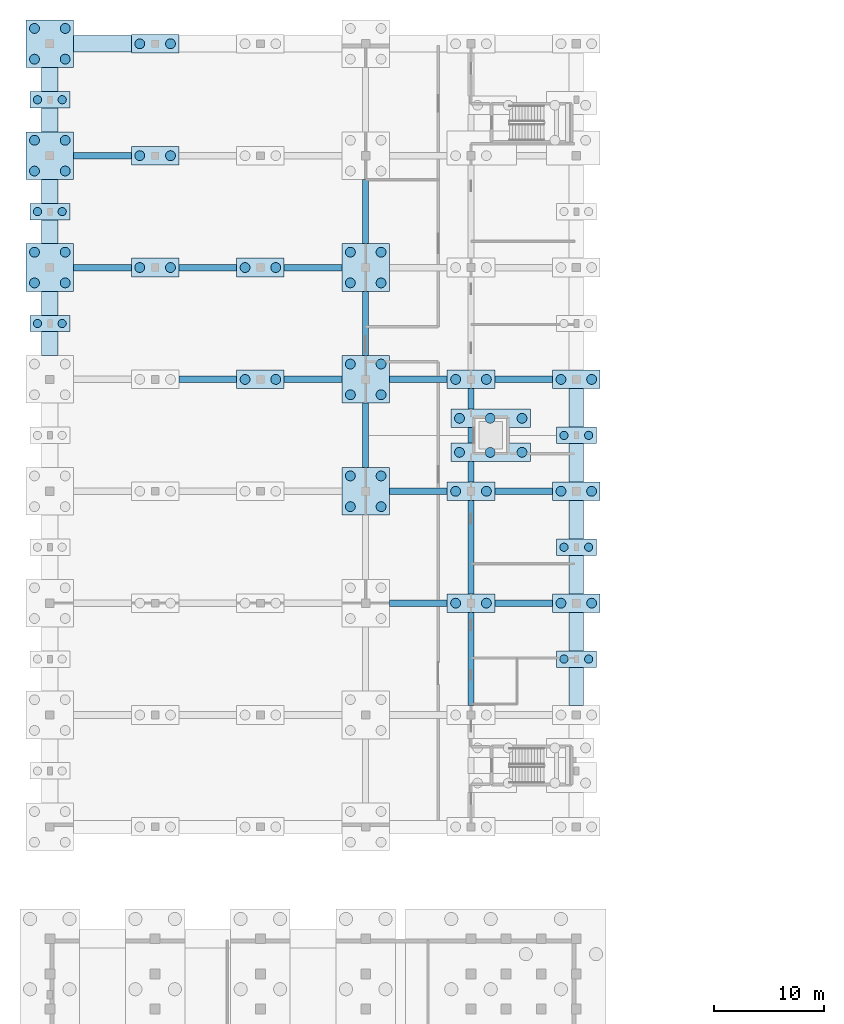
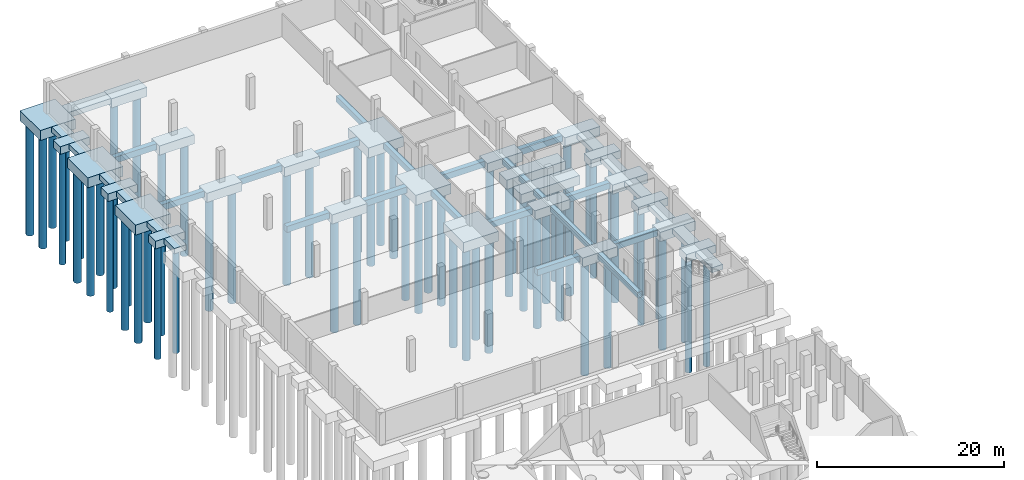
# One storey, part 3 of 18: 64 piles, 58 footings.
"""IFC4 building model written with IfcOpenShell, lengths in metres."""

from ifc_helpers import new_model, si_unit, direction, frame, origin, origin_2d, place, context, subcontext, project, spatial, polyline, rectangle, circle, outline, extrude, material, material_profile, profile_set, type_object, element, save


model = new_model("IFC4")

# Units and contexts
model_context = context("Model", 3, precision=1e-05, world=origin(), true_north=direction((0.0, 1.0)))
body_context = subcontext(model_context, "Body", "Model", "MODEL_VIEW")
ifc_project = project(units=[si_unit("LENGTHUNIT", "METRE"), si_unit("AREAUNIT", "SQUARE_METRE"), si_unit("VOLUMEUNIT", "CUBIC_METRE"), si_unit("PLANEANGLEUNIT", "RADIAN"), si_unit("MASSUNIT", "GRAM", prefix="KILO")], contexts=[model_context])

# Site, building, storey
site_placement = place(None, origin())
site = spatial("IfcSite", under=ifc_project, at=site_placement, CompositionType="ELEMENT")
building_placement = place(site_placement, origin())
building = spatial("IfcBuilding", under=site, at=building_placement, Name="Vondelvale Polytechnic", CompositionType="ELEMENT")
storey_placement = place(building_placement, frame((0.0, 0.0, -4.199951171875)))
storey = spatial("IfcBuildingStorey", under=building, at=storey_placement, Name="B1", CompositionType="ELEMENT", Elevation=-4.199951171875)

# Footings
ifc_material = material(Name="Concrete N40 (f'c = 40 MPa)", Category="concrete")
footing_type_1 = type_object("IfcFootingType", Name="GB-550x750", PredefinedType="FOOTING_BEAM", material=ifc_material)
footing_1_placement = place(storey_placement, frame((0.0, 0.0, -1.150146484375)))
element("IfcFooting", 1, at=footing_1_placement, inside=storey, type_object=footing_type_1, Name="Ground tie beam GB-034", PredefinedType="FOOTING_BEAM", context=body_context, shape_type="SweptSolid", body=[
    extrude(outline(polyline([(29.074951171875, 83.77001953125), (28.52490234375, 83.77001953125), (28.52490234375, 89.6298828125), (29.074951171875, 89.6298828125), (29.074951171875, 83.77001953125)])), origin(), (0.0, 0.0, 1.0), 0.75),
])
footing_2_placement = place(storey_placement, frame((0.0, 0.0, -1.150146484375)))
element("IfcFooting", 2, at=footing_2_placement, inside=storey, type_object=footing_type_1, Name="Ground tie beam GB-035", PredefinedType="FOOTING_BEAM", context=body_context, shape_type="SweptSolid", body=[
    extrude(outline(polyline([(29.074951171875, 93.969970703125), (28.52490234375, 93.969970703125), (28.52490234375, 99.830078125), (29.074951171875, 99.830078125), (29.074951171875, 93.969970703125)])), origin(), (0.0, 0.0, 1.0), 0.75),
])
footing_3_placement = place(storey_placement, frame((0.0, 0.0, -1.150146484375)))
element("IfcFooting", 3, at=footing_3_placement, inside=storey, type_object=footing_type_1, Name="Ground tie beam GB-036", PredefinedType="FOOTING_BEAM", context=body_context, shape_type="SweptSolid", body=[
    extrude(outline(polyline([(29.074951171875, 104.169921875), (28.52490234375, 104.169921875), (28.52490234375, 110.030029296875), (29.074951171875, 110.030029296875), (29.074951171875, 104.169921875)])), origin(), (0.0, 0.0, 1.0), 0.75),
])
footing_4_placement = place(storey_placement, frame((0.0, 0.0, -1.150146484375)))
element("IfcFooting", 4, at=footing_4_placement, inside=storey, type_object=footing_type_1, Name="Ground tie beam GB-041", PredefinedType="FOOTING_BEAM", context=body_context, shape_type="SweptSolid", body=[
    extrude(outline(polyline([(38.675048828125, 62.050048828125), (38.125, 62.050048828125), (38.125, 70.550048828125), (38.675048828125, 70.550048828125), (38.675048828125, 62.050048828125)])), origin(), (0.0, 0.0, 1.0), 0.75),
])
footing_5_placement = place(storey_placement, frame((0.0, 0.0, -1.150146484375)))
element("IfcFooting", 5, at=footing_5_placement, inside=storey, type_object=footing_type_1, Name="Ground tie beam GB-042", PredefinedType="FOOTING_BEAM", context=body_context, shape_type="SweptSolid", body=[
    extrude(outline(polyline([(38.675048828125, 72.25), (38.125, 72.25), (38.125, 80.75), (38.675048828125, 80.75), (38.675048828125, 72.25)])), origin(), (0.0, 0.0, 1.0), 0.75),
])
footing_6_placement = place(storey_placement, frame((0.0, 0.0, -1.150146484375)))
element("IfcFooting", 6, at=footing_6_placement, inside=storey, type_object=footing_type_1, Name="Ground tie beam GB-043", PredefinedType="FOOTING_BEAM", context=body_context, shape_type="SweptSolid", body=[
    extrude(outline(polyline([(38.675048828125, 82.449951171875), (38.125, 82.449951171875), (38.125, 84.300048828125), (38.675048828125, 84.300048828125), (38.675048828125, 82.449951171875)])), origin(), (0.0, 0.0, 1.0), 0.75),
])
footing_7_placement = place(storey_placement, frame((0.0, 0.0, -1.150146484375)))
element("IfcFooting", 7, at=footing_7_placement, inside=storey, type_object=footing_type_1, Name="Ground tie beam GB-044", PredefinedType="FOOTING_BEAM", context=body_context, shape_type="SweptSolid", body=[
    extrude(outline(polyline([(38.675048828125, 86.0), (38.125, 86.0), (38.125, 87.39990234375), (38.675048828125, 87.39990234375), (38.675048828125, 86.0)])), origin(), (0.0, 0.0, 1.0), 0.75),
])
footing_8_placement = place(storey_placement, frame((0.0, 0.0, -1.150146484375)))
element("IfcFooting", 8, at=footing_8_placement, inside=storey, type_object=footing_type_1, Name="Ground tie beam GB-045", PredefinedType="FOOTING_BEAM", context=body_context, shape_type="SweptSolid", body=[
    extrude(outline(polyline([(38.675048828125, 89.10009765625), (38.125, 89.10009765625), (38.125, 90.949951171875), (38.675048828125, 90.949951171875), (38.675048828125, 89.10009765625)])), origin(), (0.0, 0.0, 1.0), 0.75),
])
footing_type_2 = type_object("IfcFootingType", Name="GB-600x800", PredefinedType="FOOTING_BEAM", material=ifc_material)
footing_9_placement = place(storey_placement, frame((0.0, 0.0, -1.199951171875)))
element("IfcFooting", 9, at=footing_9_placement, inside=storey, type_object=footing_type_2, Name="Ground tie beam GB-009", PredefinedType="FOOTING_BEAM", context=body_context, shape_type="SweptSolid", body=[
    extrude(outline(polyline([(30.969970703125, 71.10009765625), (30.969970703125, 71.699951171875), (36.22998046875, 71.699951171875), (36.22998046875, 71.10009765625), (30.969970703125, 71.10009765625)])), origin(), (0.0, 0.0, 1.0), 0.7998046875),
])
footing_10_placement = place(storey_placement, frame((0.0, 0.0, -1.199951171875)))
element("IfcFooting", 10, at=footing_10_placement, inside=storey, type_object=footing_type_2, Name="Ground tie beam GB-010", PredefinedType="FOOTING_BEAM", context=body_context, shape_type="SweptSolid", body=[
    extrude(outline(polyline([(40.570068359375, 71.10009765625), (40.570068359375, 71.699951171875), (45.830078125, 71.699951171875), (45.830078125, 71.10009765625), (40.570068359375, 71.10009765625)])), origin(), (0.0, 0.0, 1.0), 0.7998046875),
])
footing_11_placement = place(storey_placement, frame((0.0, 0.0, -1.199951171875)))
element("IfcFooting", 11, at=footing_11_placement, inside=storey, type_object=footing_type_2, Name="Ground tie beam GB-014", PredefinedType="FOOTING_BEAM", context=body_context, shape_type="SweptSolid", body=[
    extrude(outline(polyline([(30.969970703125, 81.300048828125), (30.969970703125, 81.89990234375), (36.22998046875, 81.89990234375), (36.22998046875, 81.300048828125), (30.969970703125, 81.300048828125)])), origin(), (0.0, 0.0, 1.0), 0.7998046875),
])
footing_12_placement = place(storey_placement, frame((0.0, 0.0, -1.199951171875)))
element("IfcFooting", 12, at=footing_12_placement, inside=storey, type_object=footing_type_2, Name="Ground tie beam GB-015", PredefinedType="FOOTING_BEAM", context=body_context, shape_type="SweptSolid", body=[
    extrude(outline(polyline([(40.570068359375, 81.300048828125), (40.570068359375, 81.89990234375), (45.830078125, 81.89990234375), (45.830078125, 81.300048828125), (40.570068359375, 81.300048828125)])), origin(), (0.0, 0.0, 1.0), 0.7998046875),
])
footing_13_placement = place(storey_placement, frame((0.0, 0.0, -1.199951171875)))
element("IfcFooting", 13, at=footing_13_placement, inside=storey, type_object=footing_type_2, Name="Ground tie beam GB-017", PredefinedType="FOOTING_BEAM", context=body_context, shape_type="SweptSolid", body=[
    extrude(outline(polyline([(11.77001953125, 91.5), (11.77001953125, 92.10009765625), (17.030029296875, 92.10009765625), (17.030029296875, 91.5), (11.77001953125, 91.5)])), origin(), (0.0, 0.0, 1.0), 0.7998046875),
])
footing_14_placement = place(storey_placement, frame((0.0, 0.0, -1.199951171875)))
element("IfcFooting", 14, at=footing_14_placement, inside=storey, type_object=footing_type_2, Name="Ground tie beam GB-018", PredefinedType="FOOTING_BEAM", context=body_context, shape_type="SweptSolid", body=[
    extrude(outline(polyline([(21.3701171875, 91.5), (21.3701171875, 92.10009765625), (26.6298828125, 92.10009765625), (26.6298828125, 91.5), (21.3701171875, 91.5)])), origin(), (0.0, 0.0, 1.0), 0.7998046875),
])
footing_15_placement = place(storey_placement, frame((0.0, 0.0, -1.199951171875)))
element("IfcFooting", 15, at=footing_15_placement, inside=storey, type_object=footing_type_2, Name="Ground tie beam GB-019", PredefinedType="FOOTING_BEAM", context=body_context, shape_type="SweptSolid", body=[
    extrude(outline(polyline([(30.969970703125, 91.5), (30.969970703125, 92.10009765625), (36.22998046875, 92.10009765625), (36.22998046875, 91.5), (30.969970703125, 91.5)])), origin(), (0.0, 0.0, 1.0), 0.7998046875),
])
footing_16_placement = place(storey_placement, frame((0.0, 0.0, -1.199951171875)))
element("IfcFooting", 16, at=footing_16_placement, inside=storey, type_object=footing_type_2, Name="Ground tie beam GB-020", PredefinedType="FOOTING_BEAM", context=body_context, shape_type="SweptSolid", body=[
    extrude(outline(polyline([(40.570068359375, 91.5), (40.570068359375, 92.10009765625), (45.830078125, 92.10009765625), (45.830078125, 91.5), (40.570068359375, 91.5)])), origin(), (0.0, 0.0, 1.0), 0.7998046875),
])
footing_17_placement = place(storey_placement, frame((0.0, 0.0, -1.199951171875)))
element("IfcFooting", 17, at=footing_17_placement, inside=storey, type_object=footing_type_2, Name="Ground tie beam GB-021", PredefinedType="FOOTING_BEAM", context=body_context, shape_type="SweptSolid", body=[
    extrude(outline(polyline([(2.169921875, 101.699951171875), (2.169921875, 102.300048828125), (7.429931640625, 102.300048828125), (7.429931640625, 101.699951171875), (2.169921875, 101.699951171875)])), origin(), (0.0, 0.0, 1.0), 0.7998046875),
])
footing_18_placement = place(storey_placement, frame((0.0, 0.0, -1.199951171875)))
element("IfcFooting", 18, at=footing_18_placement, inside=storey, type_object=footing_type_2, Name="Ground tie beam GB-022", PredefinedType="FOOTING_BEAM", context=body_context, shape_type="SweptSolid", body=[
    extrude(outline(polyline([(11.77001953125, 101.699951171875), (11.77001953125, 102.300048828125), (17.030029296875, 102.300048828125), (17.030029296875, 101.699951171875), (11.77001953125, 101.699951171875)])), origin(), (0.0, 0.0, 1.0), 0.7998046875),
])
footing_19_placement = place(storey_placement, frame((0.0, 0.0, -1.199951171875)))
element("IfcFooting", 19, at=footing_19_placement, inside=storey, type_object=footing_type_2, Name="Ground tie beam GB-023", PredefinedType="FOOTING_BEAM", context=body_context, shape_type="SweptSolid", body=[
    extrude(outline(polyline([(21.3701171875, 101.699951171875), (21.3701171875, 102.300048828125), (26.6298828125, 102.300048828125), (26.6298828125, 101.699951171875), (21.3701171875, 101.699951171875)])), origin(), (0.0, 0.0, 1.0), 0.7998046875),
])
footing_20_placement = place(storey_placement, frame((0.0, 0.0, -1.199951171875)))
element("IfcFooting", 20, at=footing_20_placement, inside=storey, type_object=footing_type_2, Name="Ground tie beam GB-026", PredefinedType="FOOTING_BEAM", context=body_context, shape_type="SweptSolid", body=[
    extrude(outline(polyline([(2.169921875, 111.89990234375), (2.169921875, 112.5), (7.429931640625, 112.5), (7.429931640625, 111.89990234375), (2.169921875, 111.89990234375)])), origin(), (0.0, 0.0, 1.0), 0.7998046875),
])
footing_type_3 = type_object("IfcFootingType", Name="PC-3640x1500x1000", PredefinedType="PILE_CAP", material=ifc_material)
for number, where, z_axis, x_axis, name in (
    (21, (0.0, 96.89990234375, -1.400146484375), (0.0, 0.0, 1.0), (1.0, 0.0, 0.0), "Pile cap PC-015"),
    (22, (0.0, 107.10009765625, -1.400146484375), (0.0, 0.0, 1.0), (1.0, 0.0, 0.0), "Pile cap PC-017"),
    (23, (0.0, 117.300048828125, -1.400146484375), (0.0, 0.0, 1.0), (1.0, 0.0, 0.0), "Pile cap PC-019"),
    (24, (48.0, 66.300048828125, -1.400146484375), (0.0, 0.0, 1.0), (1.0, 0.0, 0.0), "Pile cap PC-072"),
    (25, (48.0, 76.5, -1.400146484375), (0.0, 0.0, 1.0), (1.0, 0.0, 0.0), "Pile cap PC-074"),
    (26, (48.0, 86.699951171875, -1.400146484375), (0.0, 0.0, 1.0), (1.0, 0.0, 0.0), "Pile cap PC-076"),
):
    element("IfcFooting", number, at=place(storey_placement, frame(where, z_axis=z_axis, x_axis=x_axis)), inside=storey, type_object=footing_type_3, Name=name, PredefinedType="PILE_CAP", context=body_context, shape_type="SweptSolid", body=[
        extrude(rectangle(XDim=3.639892578125, YDim=1.5, at=origin_2d()), origin(), (0.0, 0.0, 1.0), 1.0),
    ])
footing_type_4 = type_object("IfcFootingType", Name="PC-4340x1700x1200", PredefinedType="PILE_CAP", material=ifc_material)
for number, where, z_axis, x_axis, name in (
    (27, (9.60009765625, 102.0, -1.60009765625), (0.0, 0.0, 1.0), (1.0, 0.0, 0.0), "Pile cap PC-028"),
    (28, (9.60009765625, 112.199951171875, -1.60009765625), (0.0, 0.0, 1.0), (1.0, 0.0, 0.0), "Pile cap PC-029"),
    (29, (9.60009765625, 122.39990234375, -1.60009765625), (0.0, 0.0, 1.0), (1.0, 0.0, 0.0), "Pile cap PC-030"),
    (30, (19.199951171875, 91.800048828125, -1.60009765625), (0.0, 0.0, 1.0), (1.0, 0.0, 0.0), "Pile cap PC-037"),
    (31, (19.199951171875, 102.0, -1.60009765625), (0.0, 0.0, 1.0), (1.0, 0.0, 0.0), "Pile cap PC-038"),
    (32, (38.39990234375, 71.39990234375, -1.60009765625), (0.0, 0.0, 1.0), (1.0, 0.0, 0.0), "Pile cap PC-055"),
    (33, (38.39990234375, 81.60009765625, -1.60009765625), (0.0, 0.0, 1.0), (1.0, 0.0, 0.0), "Pile cap PC-056"),
    (34, (38.39990234375, 91.800048828125, -1.60009765625), (0.0, 0.0, 1.0), (1.0, 0.0, 0.0), "Pile cap PC-057"),
    (35, (48.0, 71.39990234375, -1.60009765625), (0.0, 0.0, 1.0), (1.0, 0.0, 0.0), "Pile cap PC-073"),
    (36, (48.0, 81.60009765625, -1.60009765625), (0.0, 0.0, 1.0), (1.0, 0.0, 0.0), "Pile cap PC-075"),
    (37, (48.0, 91.800048828125, -1.60009765625), (0.0, 0.0, 1.0), (1.0, 0.0, 0.0), "Pile cap PC-077"),
):
    element("IfcFooting", number, at=place(storey_placement, frame(where, z_axis=z_axis, x_axis=x_axis)), inside=storey, type_object=footing_type_4, Name=name, PredefinedType="PILE_CAP", context=body_context, shape_type="SweptSolid", body=[
        extrude(rectangle(XDim=4.340087890625, YDim=1.699951171875, at=origin_2d()), origin(), (0.0, 0.0, 1.0), 1.199951171875),
    ])
footing_type_5 = type_object("IfcFootingType", Name="PC-4340x4340x1300", PredefinedType="PILE_CAP", material=ifc_material)
for number, where, z_axis, x_axis, name in (
    (38, (0.0, 102.0, -1.7001953125), (0.0, 0.0, 1.0), (1.0, 0.0, 0.0), "Pile cap PC-016"),
    (39, (0.0, 112.199951171875, -1.7001953125), (0.0, 0.0, 1.0), (1.0, 0.0, 0.0), "Pile cap PC-018"),
    (40, (0.0, 122.39990234375, -1.7001953125), (0.0, 0.0, 1.0), (1.0, 0.0, 0.0), "Pile cap PC-020"),
    (41, (28.800048828125, 81.60009765625, -1.7001953125), (0.0, 0.0, 1.0), (1.0, 0.0, 0.0), "Pile cap PC-047"),
    (42, (28.800048828125, 91.800048828125, -1.7001953125), (0.0, 0.0, 1.0), (1.0, 0.0, 0.0), "Pile cap PC-048"),
    (43, (28.800048828125, 102.0, -1.7001953125), (0.0, 0.0, 1.0), (1.0, 0.0, 0.0), "Pile cap PC-049"),
):
    element("IfcFooting", number, at=place(storey_placement, frame(where, z_axis=z_axis, x_axis=x_axis)), inside=storey, type_object=footing_type_5, Name=name, PredefinedType="PILE_CAP", context=body_context, shape_type="SweptSolid", body=[
        extrude(rectangle(XDim=4.340087890625, YDim=4.340087890625, at=origin_2d()), origin(), (0.0, 0.0, 1.0), 1.300048828125),
    ])
footing_type_6 = type_object("IfcFootingType", Name="PC-7240x1700x1200", PredefinedType="PILE_CAP", material=ifc_material)
for number, where, z_axis, x_axis, name in (
    (44, (40.199951171875, 85.14990234375, -1.75), (0.0, 0.0, 1.0), (1.0, 0.0, 0.0), "Pile cap PC-061"),
    (45, (40.199951171875, 88.25, -1.75), (0.0, 0.0, 1.0), (1.0, 0.0, 0.0), "Pile cap PC-062"),
):
    element("IfcFooting", number, at=place(storey_placement, frame(where, z_axis=z_axis, x_axis=x_axis)), inside=storey, type_object=footing_type_6, Name=name, PredefinedType="PILE_CAP", context=body_context, shape_type="SweptSolid", body=[
        extrude(rectangle(XDim=7.239990234375, YDim=1.699951171875, at=origin_2d()), origin(), (0.0, 0.0, 1.0), 1.199951171875),
    ])

# Piles
ifc_material_profile_1 = material_profile(ifc_material, circle(Radius=0.375, at=origin_2d()), Name="PILE-D750")
ifc_profile_set_1 = profile_set([ifc_material_profile_1], Name="Concrete N40 (f'c = 40 MPa)")
pile_type_1 = type_object("IfcPileType", Name="PILE-BORED-750", PredefinedType="BORED", material=ifc_profile_set_1)
for number, where, z_axis, x_axis, name in (
    (46, (-1.125, 96.89990234375, -1.25), (0.0, 0.0, -1.0), (1.0, 0.0, 0.0), "Bored pile BP-750-015-1"),
    (47, (1.125, 96.89990234375, -1.25), (0.0, 0.0, -1.0), (1.0, 0.0, 0.0), "Bored pile BP-750-015-2"),
    (48, (-1.125, 107.10009765625, -1.25), (0.0, 0.0, -1.0), (1.0, 0.0, 0.0), "Bored pile BP-750-017-1"),
    (49, (1.125, 107.10009765625, -1.25), (0.0, 0.0, -1.0), (1.0, 0.0, 0.0), "Bored pile BP-750-017-2"),
    (50, (-1.125, 117.300048828125, -1.25), (0.0, 0.0, -1.0), (1.0, 0.0, 0.0), "Bored pile BP-750-019-1"),
    (51, (1.125, 117.300048828125, -1.25), (0.0, 0.0, -1.0), (1.0, 0.0, 0.0), "Bored pile BP-750-019-2"),
    (52, (46.875, 66.300048828125, -1.25), (0.0, 0.0, -1.0), (1.0, 0.0, 0.0), "Bored pile BP-750-072-1"),
    (53, (49.125, 66.300048828125, -1.25), (0.0, 0.0, -1.0), (1.0, 0.0, 0.0), "Bored pile BP-750-072-2"),
    (54, (46.875, 76.5, -1.25), (0.0, 0.0, -1.0), (1.0, 0.0, 0.0), "Bored pile BP-750-074-1"),
    (55, (49.125, 76.5, -1.25), (0.0, 0.0, -1.0), (1.0, 0.0, 0.0), "Bored pile BP-750-074-2"),
    (56, (46.875, 86.699951171875, -1.25), (0.0, 0.0, -1.0), (1.0, 0.0, 0.0), "Bored pile BP-750-076-1"),
    (57, (49.125, 86.699951171875, -1.25), (0.0, 0.0, -1.0), (1.0, 0.0, 0.0), "Bored pile BP-750-076-2"),
):
    element("IfcPile", number, at=place(storey_placement, frame(where, z_axis=z_axis, x_axis=x_axis)), inside=storey, type_object=pile_type_1, Name=name, PredefinedType="BORED", context=body_context, shape_type="SweptSolid", body=[
        extrude(circle(Radius=0.375, at=origin_2d()), origin(), (0.0, 0.0, 1.0), 15.050048828125),
    ])
ifc_material_profile_2 = material_profile(ifc_material, circle(Radius=0.449951171875, at=origin_2d()), Name="PILE-D900")
ifc_profile_set_2 = profile_set([ifc_material_profile_2], Name="Concrete N40 (f'c = 40 MPa)")
pile_type_2 = type_object("IfcPileType", Name="PILE-BORED-900", PredefinedType="BORED", material=ifc_profile_set_2)
for number, where, z_axis, x_axis, name in (
    (58, (-1.39990234375, 100.60009765625, -1.550048828125), (0.0, 0.0, -1.0), (1.0, 0.0, 0.0), "Bored pile BP-900-016-1"),
    (59, (1.39990234375, 100.60009765625, -1.550048828125), (0.0, 0.0, -1.0), (1.0, 0.0, 0.0), "Bored pile BP-900-016-2"),
    (60, (-1.39990234375, 103.39990234375, -1.550048828125), (0.0, 0.0, -1.0), (1.0, 0.0, 0.0), "Bored pile BP-900-016-3"),
    (61, (1.39990234375, 103.39990234375, -1.550048828125), (0.0, 0.0, -1.0), (1.0, 0.0, 0.0), "Bored pile BP-900-016-4"),
    (62, (-1.39990234375, 110.800048828125, -1.550048828125), (0.0, 0.0, -1.0), (1.0, 0.0, 0.0), "Bored pile BP-900-018-1"),
    (63, (1.39990234375, 110.800048828125, -1.550048828125), (0.0, 0.0, -1.0), (1.0, 0.0, 0.0), "Bored pile BP-900-018-2"),
    (64, (-1.39990234375, 113.60009765625, -1.550048828125), (0.0, 0.0, -1.0), (1.0, 0.0, 0.0), "Bored pile BP-900-018-3"),
    (65, (1.39990234375, 113.60009765625, -1.550048828125), (0.0, 0.0, -1.0), (1.0, 0.0, 0.0), "Bored pile BP-900-018-4"),
    (66, (-1.39990234375, 121.0, -1.550048828125), (0.0, 0.0, -1.0), (1.0, 0.0, 0.0), "Bored pile BP-900-020-1"),
    (67, (1.39990234375, 121.0, -1.550048828125), (0.0, 0.0, -1.0), (1.0, 0.0, 0.0), "Bored pile BP-900-020-2"),
    (68, (-1.39990234375, 123.800048828125, -1.550048828125), (0.0, 0.0, -1.0), (1.0, 0.0, 0.0), "Bored pile BP-900-020-3"),
    (69, (1.39990234375, 123.800048828125, -1.550048828125), (0.0, 0.0, -1.0), (1.0, 0.0, 0.0), "Bored pile BP-900-020-4"),
):
    element("IfcPile", number, at=place(storey_placement, frame(where, z_axis=z_axis, x_axis=x_axis)), inside=storey, type_object=pile_type_2, Name=name, PredefinedType="BORED", context=body_context, shape_type="SweptSolid", body=[
        extrude(circle(Radius=0.449951171875, at=origin_2d()), origin(), (0.0, 0.0, 1.0), 14.75),
    ])
for number, where, z_axis, x_axis, name in (
    (70, (8.199951171875, 102.0, -1.449951171875), (0.0, 0.0, -1.0), (1.0, 0.0, 0.0), "Bored pile BP-900-028-1"),
    (71, (11.0, 102.0, -1.449951171875), (0.0, 0.0, -1.0), (1.0, 0.0, 0.0), "Bored pile BP-900-028-2"),
    (72, (8.199951171875, 112.199951171875, -1.449951171875), (0.0, 0.0, -1.0), (1.0, 0.0, 0.0), "Bored pile BP-900-029-1"),
    (73, (11.0, 112.199951171875, -1.449951171875), (0.0, 0.0, -1.0), (1.0, 0.0, 0.0), "Bored pile BP-900-029-2"),
    (74, (8.199951171875, 122.39990234375, -1.449951171875), (0.0, 0.0, -1.0), (1.0, 0.0, 0.0), "Bored pile BP-900-030-1"),
    (75, (11.0, 122.39990234375, -1.449951171875), (0.0, 0.0, -1.0), (1.0, 0.0, 0.0), "Bored pile BP-900-030-2"),
    (76, (17.800048828125, 91.800048828125, -1.449951171875), (0.0, 0.0, -1.0), (1.0, 0.0, 0.0), "Bored pile BP-900-037-1"),
    (77, (20.60009765625, 91.800048828125, -1.449951171875), (0.0, 0.0, -1.0), (1.0, 0.0, 0.0), "Bored pile BP-900-037-2"),
    (78, (17.800048828125, 102.0, -1.449951171875), (0.0, 0.0, -1.0), (1.0, 0.0, 0.0), "Bored pile BP-900-038-1"),
    (79, (20.60009765625, 102.0, -1.449951171875), (0.0, 0.0, -1.0), (1.0, 0.0, 0.0), "Bored pile BP-900-038-2"),
):
    element("IfcPile", number, at=place(storey_placement, frame(where, z_axis=z_axis, x_axis=x_axis)), inside=storey, type_object=pile_type_2, Name=name, PredefinedType="BORED", context=body_context, shape_type="SweptSolid", body=[
        extrude(circle(Radius=0.449951171875, at=origin_2d()), origin(), (0.0, 0.0, 1.0), 14.85009765625),
    ])
for number, where, z_axis, x_axis, name in (
    (80, (27.39990234375, 80.199951171875, -1.550048828125), (0.0, 0.0, -1.0), (1.0, 0.0, 0.0), "Bored pile BP-900-047-1"),
    (81, (30.199951171875, 80.199951171875, -1.550048828125), (0.0, 0.0, -1.0), (1.0, 0.0, 0.0), "Bored pile BP-900-047-2"),
    (82, (27.39990234375, 83.0, -1.550048828125), (0.0, 0.0, -1.0), (1.0, 0.0, 0.0), "Bored pile BP-900-047-3"),
    (83, (30.199951171875, 83.0, -1.550048828125), (0.0, 0.0, -1.0), (1.0, 0.0, 0.0), "Bored pile BP-900-047-4"),
    (84, (27.39990234375, 90.39990234375, -1.550048828125), (0.0, 0.0, -1.0), (1.0, 0.0, 0.0), "Bored pile BP-900-048-1"),
    (85, (30.199951171875, 90.39990234375, -1.550048828125), (0.0, 0.0, -1.0), (1.0, 0.0, 0.0), "Bored pile BP-900-048-2"),
    (86, (27.39990234375, 93.199951171875, -1.550048828125), (0.0, 0.0, -1.0), (1.0, 0.0, 0.0), "Bored pile BP-900-048-3"),
    (87, (30.199951171875, 93.199951171875, -1.550048828125), (0.0, 0.0, -1.0), (1.0, 0.0, 0.0), "Bored pile BP-900-048-4"),
    (88, (27.39990234375, 100.60009765625, -1.550048828125), (0.0, 0.0, -1.0), (1.0, 0.0, 0.0), "Bored pile BP-900-049-1"),
    (89, (30.199951171875, 100.60009765625, -1.550048828125), (0.0, 0.0, -1.0), (1.0, 0.0, 0.0), "Bored pile BP-900-049-2"),
    (90, (27.39990234375, 103.39990234375, -1.550048828125), (0.0, 0.0, -1.0), (1.0, 0.0, 0.0), "Bored pile BP-900-049-3"),
    (91, (30.199951171875, 103.39990234375, -1.550048828125), (0.0, 0.0, -1.0), (1.0, 0.0, 0.0), "Bored pile BP-900-049-4"),
):
    element("IfcPile", number, at=place(storey_placement, frame(where, z_axis=z_axis, x_axis=x_axis)), inside=storey, type_object=pile_type_2, Name=name, PredefinedType="BORED", context=body_context, shape_type="SweptSolid", body=[
        extrude(circle(Radius=0.449951171875, at=origin_2d()), origin(), (0.0, 0.0, 1.0), 14.75),
    ])
for number, where, z_axis, x_axis, name in (
    (92, (37.0, 71.39990234375, -1.449951171875), (0.0, 0.0, -1.0), (1.0, 0.0, 0.0), "Bored pile BP-900-055-1"),
    (93, (39.800048828125, 71.39990234375, -1.449951171875), (0.0, 0.0, -1.0), (1.0, 0.0, 0.0), "Bored pile BP-900-055-2"),
    (94, (37.0, 81.60009765625, -1.449951171875), (0.0, 0.0, -1.0), (1.0, 0.0, 0.0), "Bored pile BP-900-056-1"),
    (95, (39.800048828125, 81.60009765625, -1.449951171875), (0.0, 0.0, -1.0), (1.0, 0.0, 0.0), "Bored pile BP-900-056-2"),
    (96, (37.0, 91.800048828125, -1.449951171875), (0.0, 0.0, -1.0), (1.0, 0.0, 0.0), "Bored pile BP-900-057-1"),
    (97, (39.800048828125, 91.800048828125, -1.449951171875), (0.0, 0.0, -1.0), (1.0, 0.0, 0.0), "Bored pile BP-900-057-2"),
):
    element("IfcPile", number, at=place(storey_placement, frame(where, z_axis=z_axis, x_axis=x_axis)), inside=storey, type_object=pile_type_2, Name=name, PredefinedType="BORED", context=body_context, shape_type="SweptSolid", body=[
        extrude(circle(Radius=0.449951171875, at=origin_2d()), origin(), (0.0, 0.0, 1.0), 14.85009765625),
    ])
for number, where, z_axis, x_axis, name in (
    (98, (37.35009765625, 85.14990234375, -1.60009765625), (0.0, 0.0, -1.0), (1.0, 0.0, 0.0), "Bored pile BP-900-061-1"),
    (99, (40.14990234375, 85.14990234375, -1.60009765625), (0.0, 0.0, -1.0), (1.0, 0.0, 0.0), "Bored pile BP-900-061-2"),
    (100, (43.050048828125, 85.14990234375, -1.60009765625), (0.0, 0.0, -1.0), (1.0, 0.0, 0.0), "Bored pile BP-900-061-3"),
    (101, (37.35009765625, 88.25, -1.60009765625), (0.0, 0.0, -1.0), (1.0, 0.0, 0.0), "Bored pile BP-900-062-1"),
    (102, (40.14990234375, 88.25, -1.60009765625), (0.0, 0.0, -1.0), (1.0, 0.0, 0.0), "Bored pile BP-900-062-2"),
    (103, (43.050048828125, 88.25, -1.60009765625), (0.0, 0.0, -1.0), (1.0, 0.0, 0.0), "Bored pile BP-900-062-3"),
):
    element("IfcPile", number, at=place(storey_placement, frame(where, z_axis=z_axis, x_axis=x_axis)), inside=storey, type_object=pile_type_2, Name=name, PredefinedType="BORED", context=body_context, shape_type="SweptSolid", body=[
        extrude(circle(Radius=0.449951171875, at=origin_2d()), origin(), (0.0, 0.0, 1.0), 14.699951171875),
    ])
for number, where, z_axis, x_axis, name in (
    (104, (46.60009765625, 71.39990234375, -1.449951171875), (0.0, 0.0, -1.0), (1.0, 0.0, 0.0), "Bored pile BP-900-073-1"),
    (105, (49.39990234375, 71.39990234375, -1.449951171875), (0.0, 0.0, -1.0), (1.0, 0.0, 0.0), "Bored pile BP-900-073-2"),
    (106, (46.60009765625, 81.60009765625, -1.449951171875), (0.0, 0.0, -1.0), (1.0, 0.0, 0.0), "Bored pile BP-900-075-1"),
    (107, (49.39990234375, 81.60009765625, -1.449951171875), (0.0, 0.0, -1.0), (1.0, 0.0, 0.0), "Bored pile BP-900-075-2"),
    (108, (46.60009765625, 91.800048828125, -1.449951171875), (0.0, 0.0, -1.0), (1.0, 0.0, 0.0), "Bored pile BP-900-077-1"),
    (109, (49.39990234375, 91.800048828125, -1.449951171875), (0.0, 0.0, -1.0), (1.0, 0.0, 0.0), "Bored pile BP-900-077-2"),
):
    element("IfcPile", number, at=place(storey_placement, frame(where, z_axis=z_axis, x_axis=x_axis)), inside=storey, type_object=pile_type_2, Name=name, PredefinedType="BORED", context=body_context, shape_type="SweptSolid", body=[
        extrude(circle(Radius=0.449951171875, at=origin_2d()), origin(), (0.0, 0.0, 1.0), 14.85009765625),
    ])

# Footings
footing_type_7 = type_object("IfcFootingType", Name="SF-1350x650", PredefinedType="STRIP_FOOTING", material=ifc_material)
footing_21_placement = place(storey_placement, frame((0.0, 0.0, -1.050048828125)))
element("IfcFooting", 110, at=footing_21_placement, inside=storey, type_object=footing_type_7, Name="B1 continuous strip footing SF-007", PredefinedType="STRIP_FOOTING", context=body_context, shape_type="SweptSolid", body=[
    extrude(outline(polyline([(48.675048828125, 62.050048828125), (47.324951171875, 62.050048828125), (47.324951171875, 65.550048828125), (48.675048828125, 65.550048828125), (48.675048828125, 62.050048828125)])), origin(), (0.0, 0.0, 1.0), 0.64990234375),
])
footing_22_placement = place(storey_placement, frame((0.0, 0.0, -1.050048828125)))
element("IfcFooting", 111, at=footing_22_placement, inside=storey, type_object=footing_type_7, Name="B1 continuous strip footing SF-008", PredefinedType="STRIP_FOOTING", context=body_context, shape_type="SweptSolid", body=[
    extrude(outline(polyline([(48.675048828125, 67.050048828125), (47.324951171875, 67.050048828125), (47.324951171875, 70.550048828125), (48.675048828125, 70.550048828125), (48.675048828125, 67.050048828125)])), origin(), (0.0, 0.0, 1.0), 0.64990234375),
])
footing_23_placement = place(storey_placement, frame((0.0, 0.0, -1.050048828125)))
element("IfcFooting", 112, at=footing_23_placement, inside=storey, type_object=footing_type_7, Name="B1 continuous strip footing SF-011", PredefinedType="STRIP_FOOTING", context=body_context, shape_type="SweptSolid", body=[
    extrude(outline(polyline([(48.675048828125, 72.25), (47.324951171875, 72.25), (47.324951171875, 75.75), (48.675048828125, 75.75), (48.675048828125, 72.25)])), origin(), (0.0, 0.0, 1.0), 0.64990234375),
])
footing_24_placement = place(storey_placement, frame((0.0, 0.0, -1.050048828125)))
element("IfcFooting", 113, at=footing_24_placement, inside=storey, type_object=footing_type_7, Name="B1 continuous strip footing SF-012", PredefinedType="STRIP_FOOTING", context=body_context, shape_type="SweptSolid", body=[
    extrude(outline(polyline([(48.675048828125, 77.25), (47.324951171875, 77.25), (47.324951171875, 80.75), (48.675048828125, 80.75), (48.675048828125, 77.25)])), origin(), (0.0, 0.0, 1.0), 0.64990234375),
])
footing_25_placement = place(storey_placement, frame((0.0, 0.0, -1.050048828125)))
element("IfcFooting", 114, at=footing_25_placement, inside=storey, type_object=footing_type_7, Name="B1 continuous strip footing SF-015", PredefinedType="STRIP_FOOTING", context=body_context, shape_type="SweptSolid", body=[
    extrude(outline(polyline([(48.675048828125, 82.449951171875), (47.324951171875, 82.449951171875), (47.324951171875, 85.949951171875), (48.675048828125, 85.949951171875), (48.675048828125, 82.449951171875)])), origin(), (0.0, 0.0, 1.0), 0.64990234375),
])
footing_26_placement = place(storey_placement, frame((0.0, 0.0, -1.050048828125)))
element("IfcFooting", 115, at=footing_26_placement, inside=storey, type_object=footing_type_7, Name="B1 continuous strip footing SF-016", PredefinedType="STRIP_FOOTING", context=body_context, shape_type="SweptSolid", body=[
    extrude(outline(polyline([(48.675048828125, 87.449951171875), (47.324951171875, 87.449951171875), (47.324951171875, 90.949951171875), (48.675048828125, 90.949951171875), (48.675048828125, 87.449951171875)])), origin(), (0.0, 0.0, 1.0), 0.64990234375),
])
footing_type_8 = type_object("IfcFootingType", Name="SF-1500x700", PredefinedType="STRIP_FOOTING", material=ifc_material)
footing_27_placement = place(storey_placement, frame((0.0, 0.0, -1.10009765625)))
element("IfcFooting", 116, at=footing_27_placement, inside=storey, type_object=footing_type_8, Name="B1 continuous strip footing SF-017", PredefinedType="STRIP_FOOTING", context=body_context, shape_type="SweptSolid", body=[
    extrude(outline(polyline([(0.75, 93.969970703125), (-0.75, 93.969970703125), (-0.75, 96.14990234375), (0.75, 96.14990234375), (0.75, 93.969970703125)])), origin(), (0.0, 0.0, 1.0), 0.699951171875),
])
footing_28_placement = place(storey_placement, frame((0.0, 0.0, -1.10009765625)))
element("IfcFooting", 117, at=footing_28_placement, inside=storey, type_object=footing_type_8, Name="B1 continuous strip footing SF-018", PredefinedType="STRIP_FOOTING", context=body_context, shape_type="SweptSolid", body=[
    extrude(outline(polyline([(0.75, 97.64990234375), (-0.75, 97.64990234375), (-0.75, 99.830078125), (0.75, 99.830078125), (0.75, 97.64990234375)])), origin(), (0.0, 0.0, 1.0), 0.699951171875),
])
footing_29_placement = place(storey_placement, frame((0.0, 0.0, -1.10009765625)))
element("IfcFooting", 118, at=footing_29_placement, inside=storey, type_object=footing_type_8, Name="B1 continuous strip footing SF-021", PredefinedType="STRIP_FOOTING", context=body_context, shape_type="SweptSolid", body=[
    extrude(outline(polyline([(0.75, 104.169921875), (-0.75, 104.169921875), (-0.75, 106.35009765625), (0.75, 106.35009765625), (0.75, 104.169921875)])), origin(), (0.0, 0.0, 1.0), 0.699951171875),
])
footing_30_placement = place(storey_placement, frame((0.0, 0.0, -1.10009765625)))
element("IfcFooting", 119, at=footing_30_placement, inside=storey, type_object=footing_type_8, Name="B1 continuous strip footing SF-022", PredefinedType="STRIP_FOOTING", context=body_context, shape_type="SweptSolid", body=[
    extrude(outline(polyline([(0.75, 107.85009765625), (-0.75, 107.85009765625), (-0.75, 110.030029296875), (0.75, 110.030029296875), (0.75, 107.85009765625)])), origin(), (0.0, 0.0, 1.0), 0.699951171875),
])
footing_31_placement = place(storey_placement, frame((0.0, 0.0, -1.10009765625)))
element("IfcFooting", 120, at=footing_31_placement, inside=storey, type_object=footing_type_8, Name="B1 continuous strip footing SF-025", PredefinedType="STRIP_FOOTING", context=body_context, shape_type="SweptSolid", body=[
    extrude(outline(polyline([(0.75, 114.3701171875), (-0.75, 114.3701171875), (-0.75, 116.550048828125), (0.75, 116.550048828125), (0.75, 114.3701171875)])), origin(), (0.0, 0.0, 1.0), 0.699951171875),
])
footing_32_placement = place(storey_placement, frame((0.0, 0.0, -1.10009765625)))
element("IfcFooting", 121, at=footing_32_placement, inside=storey, type_object=footing_type_8, Name="B1 continuous strip footing SF-026", PredefinedType="STRIP_FOOTING", context=body_context, shape_type="SweptSolid", body=[
    extrude(outline(polyline([(0.75, 118.050048828125), (-0.75, 118.050048828125), (-0.75, 120.22998046875), (0.75, 120.22998046875), (0.75, 118.050048828125)])), origin(), (0.0, 0.0, 1.0), 0.699951171875),
])
footing_33_placement = place(storey_placement, frame((0.0, 0.0, -1.10009765625)))
element("IfcFooting", 122, at=footing_33_placement, inside=storey, type_object=footing_type_8, Name="B1 continuous strip footing SF-029", PredefinedType="STRIP_FOOTING", context=body_context, shape_type="SweptSolid", body=[
    extrude(outline(polyline([(2.169921875, 121.64990234375), (2.169921875, 123.14990234375), (7.429931640625, 123.14990234375), (7.429931640625, 121.64990234375), (2.169921875, 121.64990234375)])), origin(), (0.0, 0.0, 1.0), 0.699951171875),
])

save(model, "model.ifc")
